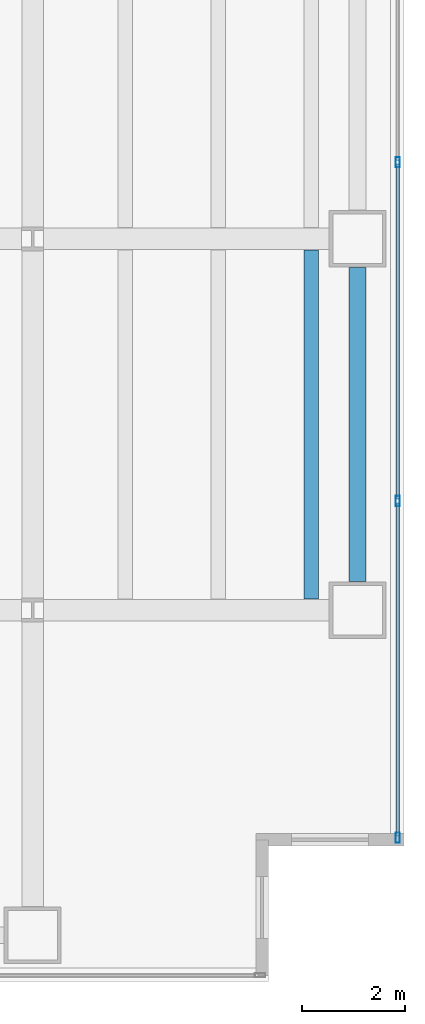
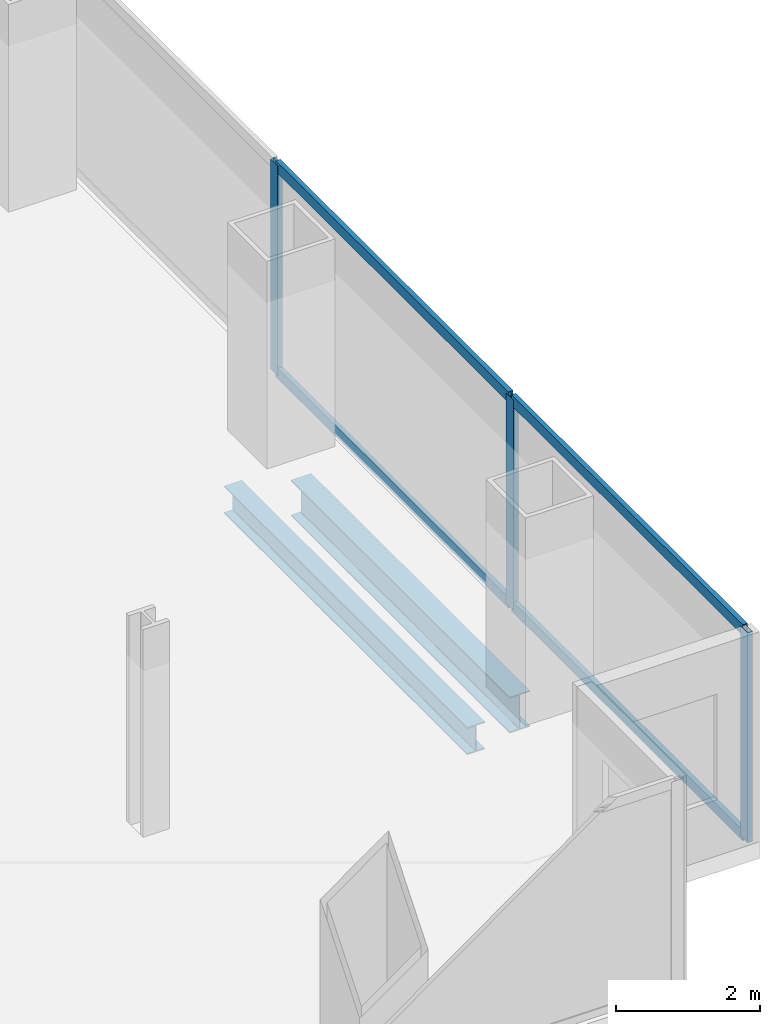
# One storey, part 10 of 25: 7 members, 2 beams, 1 element without a shape of its own.
"""IFC4 building model written with IfcOpenShell, lengths in metres."""

from ifc_helpers import new_model, si_unit, direction, frame, origin, origin_2d, place, context, subcontext, project, spatial, hollow_rectangle, i_section, extrude, material, material_profile, profile_set, type_object, element, aggregate, save


model = new_model("IFC4")

# Units and contexts
model_context = context("Model", 3, precision=1e-05, world=origin(), true_north=direction((0.0, 1.0)))
body_context = subcontext(model_context, "Body", "Model", "MODEL_VIEW")
ifc_project = project(units=[si_unit("LENGTHUNIT", "METRE"), si_unit("AREAUNIT", "SQUARE_METRE"), si_unit("VOLUMEUNIT", "CUBIC_METRE"), si_unit("PLANEANGLEUNIT", "RADIAN"), si_unit("MASSUNIT", "GRAM", prefix="KILO")], contexts=[model_context])

# Site, building, storey
site_placement = place(None, origin())
site = spatial("IfcSite", under=ifc_project, at=site_placement, CompositionType="ELEMENT")
building_placement = place(site_placement, origin())
building = spatial("IfcBuilding", under=site, at=building_placement, Name="Cobrela Telecom Tower", CompositionType="ELEMENT")
storey_placement = place(building_placement, frame((0.0, 0.0, 42.699951171875)))
storey = spatial("IfcBuildingStorey", under=building, at=storey_placement, Name="L10", CompositionType="ELEMENT", Elevation=42.699951171875)

# Beams
ifc_material_1 = material(Name="Steel ASTM A992 Grade 50", Category="steel")
ifc_material_profile_1 = material_profile(ifc_material_1, i_section(OverallWidth=0.281982421875, OverallDepth=0.467041015625, WebThickness=0.01220703125, FlangeThickness=0.01953125, FilletRadius=0.012939453125, at=origin_2d()), Name="W18X86")
ifc_profile_set_1 = profile_set([ifc_material_profile_1], Name="Steel ASTM A992 Grade 50")
beam_type_1 = type_object("IfcBeamType", Name="BM-JOIST-02", PredefinedType="JOIST", material=ifc_profile_set_1)
beam_1_placement = place(storey_placement, frame((48.60009765625, 7.41455078125, -0.513427734375), z_axis=(0.0, 1.0, 0.0), x_axis=(-1.0, 0.0, 0.0)))
element("IfcBeam", 1, at=beam_1_placement, inside=storey, type_object=beam_type_1, Name="L10 Secondary Composite Floor Beam J63", PredefinedType="JOIST", context=body_context, shape_type="SweptSolid", body=[
    extrude(i_section(OverallWidth=0.281982421875, OverallDepth=0.467041015625, WebThickness=0.01220703125, FlangeThickness=0.01953125, FilletRadius=0.012939453125, at=origin_2d()), origin(), (0.0, 0.0, 1.0), 6.77099609375),
])
ifc_material_profile_2 = material_profile(ifc_material_1, i_section(OverallWidth=0.324951171875, OverallDepth=0.612060546875, WebThickness=0.0126953125, FlangeThickness=0.01904296875, FilletRadius=0.014892578125, at=origin_2d()), Name="W24X104")
ifc_profile_set_2 = profile_set([ifc_material_profile_2], Name="Steel ASTM A992 Grade 50")
beam_type_2 = type_object("IfcBeamType", Name="BM-SPAND-02", PredefinedType="SPANDREL", material=ifc_profile_set_2)
beam_2_placement = place(storey_placement, frame((49.5, 7.7548828125, -0.5859375), z_axis=(0.0, 1.0, 0.0), x_axis=(-1.0, 0.0, 0.0)))
element("IfcBeam", 2, at=beam_2_placement, inside=storey, type_object=beam_type_2, Name="L10 Perimeter Spandrel Y56", PredefinedType="SPANDREL", context=body_context, shape_type="SweptSolid", body=[
    extrude(i_section(OverallWidth=0.324951171875, OverallDepth=0.612060546875, WebThickness=0.0126953125, FlangeThickness=0.01904296875, FilletRadius=0.014892578125, at=origin_2d()), origin(), (0.0, 0.0, 1.0), 6.090087890625),
])

# Curtain wall, members
ifc_material_2 = material(Name="Anodized Bronze Aluminium 6063-T6", Category="aluminium")
curtain_wall_type = type_object("IfcCurtainWallType", Name="CW-SYS-DATA", PredefinedType="USERDEFINED", material=ifc_material_2)
curtain_wall_placement = place(storey_placement, origin())
curtain_wall = element("IfcCurtainWall", 3, at=curtain_wall_placement, inside=storey, type_object=curtain_wall_type, Name="L10 Unitised Bronze Curtain Wall 14", ObjectType="UNITISED CURTAIN WALL", PredefinedType="USERDEFINED")
ifc_material_profile_3 = material_profile(ifc_material_2, hollow_rectangle(XDim=0.080078125, YDim=0.199951171875, WallThickness=0.00390625, at=origin_2d()), Name="ALU 80x200x4")
ifc_profile_set_3 = profile_set([ifc_material_profile_3], Name="Anodized Bronze Aluminium 6063-T6")
member_type_1 = type_object("IfcMemberType", Name="CW-SYS-DATA-MUL", PredefinedType="MULLION", material=ifc_profile_set_3)
member_1_placement = place(storey_placement, frame((50.280029296875, 15.88330078125, 0.0), z_axis=(0.0, 0.0, 1.0), x_axis=(1.0, 0.0, 0.0)))
member_1 = element("IfcMember", 4, at=member_1_placement, type_object=member_type_1, Name="CW-DATA mullion 2", PredefinedType="MULLION", context=body_context, shape_type="SweptSolid", body=[
    extrude(hollow_rectangle(XDim=0.080078125, YDim=0.199951171875, WallThickness=0.00390625, at=origin_2d()), origin(), (0.0, 0.0, 1.0), 3.570068359375),
])
member_2_placement = place(storey_placement, frame((50.280029296875, 9.316650390625, 0.0), z_axis=(0.0, 0.0, 1.0), x_axis=(1.0, 0.0, 0.0)))
member_2 = element("IfcMember", 5, at=member_2_placement, type_object=member_type_1, Name="CW-DATA mullion 3", PredefinedType="MULLION", context=body_context, shape_type="SweptSolid", body=[
    extrude(hollow_rectangle(XDim=0.080078125, YDim=0.199951171875, WallThickness=0.00390625, at=origin_2d()), origin(), (0.0, 0.0, 1.0), 3.570068359375),
])
member_3_placement = place(storey_placement, frame((50.280029296875, 2.7900390625, 0.0), z_axis=(0.0, 0.0, 1.0), x_axis=(1.0, 0.0, 0.0)))
member_3 = element("IfcMember", 6, at=member_3_placement, type_object=member_type_1, Name="CW-DATA mullion 4", PredefinedType="MULLION", context=body_context, shape_type="SweptSolid", body=[
    extrude(hollow_rectangle(XDim=0.080078125, YDim=0.199951171875, WallThickness=0.00390625, at=origin_2d()), origin(), (0.0, 0.0, 1.0), 3.570068359375),
])
ifc_material_profile_4 = material_profile(ifc_material_2, hollow_rectangle(XDim=0.074951171875, YDim=0.179931640625, WallThickness=0.00390625, at=origin_2d()), Name="ALU 75x180x4")
ifc_profile_set_4 = profile_set([ifc_material_profile_4], Name="Anodized Bronze Aluminium 6063-T6")
member_type_2 = type_object("IfcMemberType", Name="CW-SYS-DATA-TRN", PredefinedType="USERDEFINED", material=ifc_profile_set_4)
member_4_placement = place(storey_placement, frame((50.280029296875, 15.84326171875, 0.03759765625), z_axis=(0.0, -1.0, 0.0), x_axis=(1.0, 0.0, 0.0)))
member_4 = element("IfcMember", 7, at=member_4_placement, type_object=member_type_2, Name="CW-DATA transom 2.1", ObjectType="TRANSOM", PredefinedType="USERDEFINED", context=body_context, shape_type="SweptSolid", body=[
    extrude(hollow_rectangle(XDim=0.074951171875, YDim=0.179931640625, WallThickness=0.00390625, at=origin_2d()), origin(), (0.0, 0.0, 1.0), 6.486572265625),
])
member_5_placement = place(storey_placement, frame((50.280029296875, 15.84326171875, 3.532470703125), z_axis=(0.0, -1.0, 0.0), x_axis=(1.0, 0.0, 0.0)))
member_5 = element("IfcMember", 8, at=member_5_placement, type_object=member_type_2, Name="CW-DATA transom 2.2", ObjectType="TRANSOM", PredefinedType="USERDEFINED", context=body_context, shape_type="SweptSolid", body=[
    extrude(hollow_rectangle(XDim=0.074951171875, YDim=0.179931640625, WallThickness=0.00390625, at=origin_2d()), origin(), (0.0, 0.0, 1.0), 6.486572265625),
])
member_6_placement = place(storey_placement, frame((50.280029296875, 9.276611328125, 0.03759765625), z_axis=(0.0, -1.0, 0.0), x_axis=(1.0, 0.0, 0.0)))
member_6 = element("IfcMember", 9, at=member_6_placement, type_object=member_type_2, Name="CW-DATA transom 3.1", ObjectType="TRANSOM", PredefinedType="USERDEFINED", context=body_context, shape_type="SweptSolid", body=[
    extrude(hollow_rectangle(XDim=0.074951171875, YDim=0.179931640625, WallThickness=0.00390625, at=origin_2d()), origin(), (0.0, 0.0, 1.0), 6.446533203125),
])
member_7_placement = place(storey_placement, frame((50.280029296875, 9.276611328125, 3.532470703125), z_axis=(0.0, -1.0, 0.0), x_axis=(1.0, 0.0, 0.0)))
member_7 = element("IfcMember", 10, at=member_7_placement, type_object=member_type_2, Name="CW-DATA transom 3.2", ObjectType="TRANSOM", PredefinedType="USERDEFINED", context=body_context, shape_type="SweptSolid", body=[
    extrude(hollow_rectangle(XDim=0.074951171875, YDim=0.179931640625, WallThickness=0.00390625, at=origin_2d()), origin(), (0.0, 0.0, 1.0), 6.446533203125),
])
aggregate(curtain_wall, [member_1, member_2, member_3, member_4, member_5, member_6, member_7])

save(model, "model.ifc")
